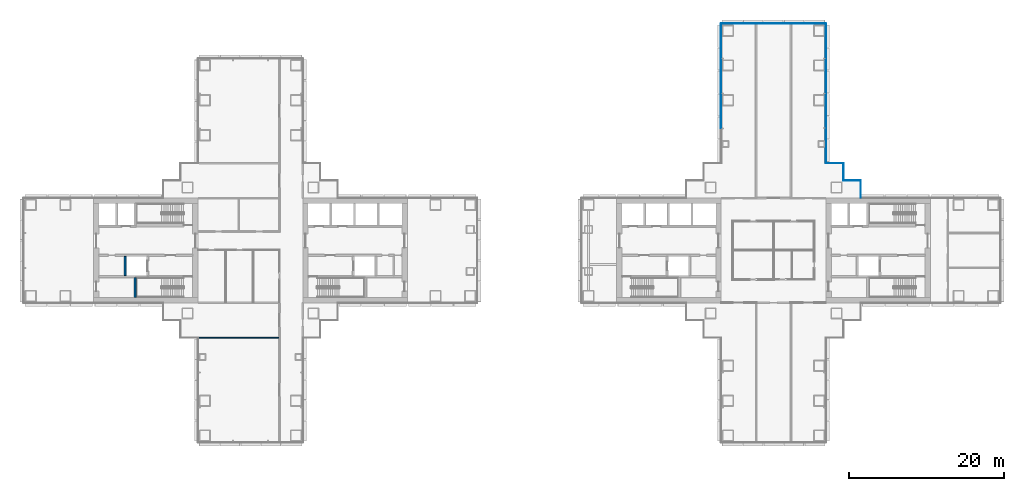
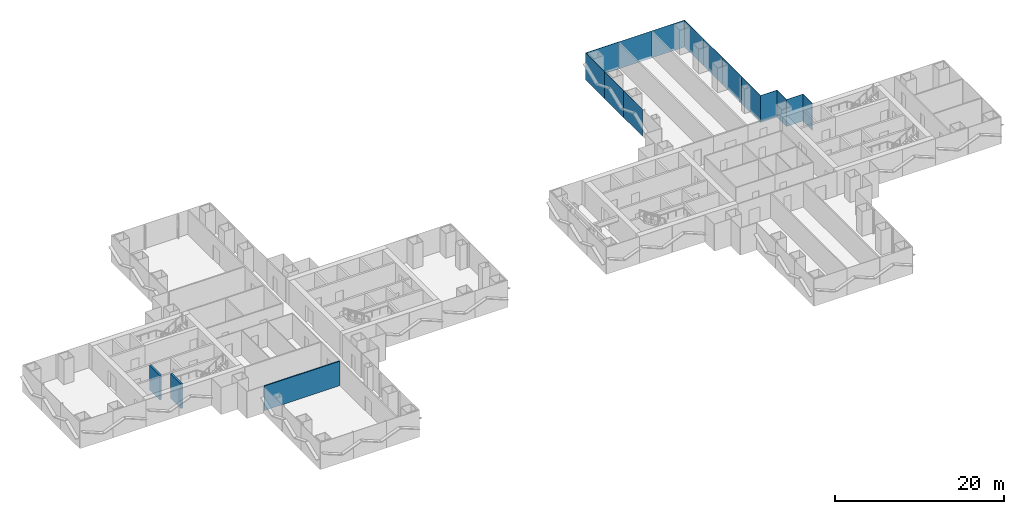
# One storey, part 12 of 21: 14 plates, 3 walls, 4 elements without a shape of their own.
"""IFC4 building model written with IfcOpenShell, lengths in metres."""

from ifc_helpers import new_model, si_unit, direction, frame, frame_2d, origin, origin_2d, place, context, subcontext, project, spatial, rectangle, extrude, material, layer, layer_set, type_object, element, aggregate, save


model = new_model("IFC4")

# Units and contexts
model_context = context("Model", 3, precision=1e-05, world=origin(), true_north=direction((0.0, 1.0)))
body_context = subcontext(model_context, "Body", "Model", "MODEL_VIEW")
ifc_project = project(units=[si_unit("LENGTHUNIT", "METRE"), si_unit("AREAUNIT", "SQUARE_METRE"), si_unit("VOLUMEUNIT", "CUBIC_METRE"), si_unit("PLANEANGLEUNIT", "RADIAN"), si_unit("MASSUNIT", "GRAM", prefix="KILO")], contexts=[model_context])

# Site, building, storey
site_placement = place(None, origin())
site = spatial("IfcSite", under=ifc_project, at=site_placement, CompositionType="ELEMENT")
building_placement = place(site_placement, origin())
building = spatial("IfcBuilding", under=site, at=building_placement, Name="Shamsa Quay Exchange Towers", CompositionType="ELEMENT")
storey_placement = place(building_placement, frame((0.0, 0.0, 57.60009765625)))
storey = spatial("IfcBuildingStorey", under=building, at=storey_placement, Name="L12", CompositionType="ELEMENT", Elevation=57.60009765625)

# Curtain wall, plates
ifc_material_1 = material(Name="Aluminium EN AW-6063 T6, black anodised", Category="aluminium")
ifc_layer_1 = layer(ifc_material_1, 0.280029296875)
ifc_layer_set_1 = layer_set([ifc_layer_1], Name="CW-1 UNITISED VISION GLASS")
curtain_wall_type_1 = type_object("IfcCurtainWallType", Name="CW-1 UNITISED VISION GLASS", PredefinedType="NOTDEFINED", material=ifc_layer_set_1)
curtain_wall_1_placement = place(storey_placement, origin())
curtain_wall_1 = element("IfcCurtainWall", 1, at=curtain_wall_1_placement, inside=storey, type_object=curtain_wall_type_1, Name="CW1 T2-FLK-U+S L12", PredefinedType="NOTDEFINED")
ifc_material_2 = material(Name="Glass, laminated, dark tinted", Category="glass")
ifc_layer_2 = layer(ifc_material_2, 0.0400390625)
ifc_layer_set_2 = layer_set([ifc_layer_2], Name="CW-1 VISION GLASS 40")
plate_type_1 = type_object("IfcPlateType", Name="CW-1 VISION GLASS 40", PredefinedType="CURTAIN_PANEL", material=ifc_layer_set_2)
plate_1_placement = place(storey_placement, frame((40.52001953125, 13.53076171875, -0.35009765625), z_axis=(0.0, 0.0, 1.0), x_axis=(0.0, 1.0, 0.0)))
plate_1 = element("IfcPlate", 2, at=plate_1_placement, type_object=plate_type_1, Name="CW1 glass panel", PredefinedType="CURTAIN_PANEL", context=body_context, shape_type="SweptSolid", body=[
    extrude(rectangle(XDim=4.485595703125, YDim=0.0400390625, at=origin_2d()), origin(), (0.0, 0.0, 1.0), 3.89990234375),
])
plate_2_placement = place(storey_placement, frame((40.52001953125, 18.023681640625, -0.35009765625), z_axis=(0.0, 0.0, 1.0), x_axis=(0.0, 1.0, 0.0)))
plate_2 = element("IfcPlate", 3, at=plate_2_placement, type_object=plate_type_1, Name="CW1 glass panel", PredefinedType="CURTAIN_PANEL", context=body_context, shape_type="SweptSolid", body=[
    extrude(rectangle(XDim=4.48046875, YDim=0.0400390625, at=origin_2d()), origin(), (0.0, 0.0, 1.0), 3.89990234375),
])
plate_3_placement = place(storey_placement, frame((40.52001953125, 22.51416015625, -0.35009765625), z_axis=(0.0, 0.0, 1.0), x_axis=(0.0, 1.0, 0.0)))
plate_3 = element("IfcPlate", 4, at=plate_3_placement, type_object=plate_type_1, Name="CW1 glass panel", PredefinedType="CURTAIN_PANEL", context=body_context, shape_type="SweptSolid", body=[
    extrude(rectangle(XDim=4.48046875, YDim=0.0400390625, at=origin_2d()), origin(), (0.0, 0.0, 1.0), 3.89990234375),
])
plate_4_placement = place(storey_placement, frame((40.52001953125, 27.00732421875, -0.35009765625), z_axis=(0.0, 0.0, 1.0), x_axis=(0.0, 1.0, 0.0)))
plate_4 = element("IfcPlate", 5, at=plate_4_placement, type_object=plate_type_1, Name="CW1 glass panel", PredefinedType="CURTAIN_PANEL", context=body_context, shape_type="SweptSolid", body=[
    extrude(rectangle(XDim=4.485595703125, YDim=0.0400390625, at=origin_2d()), origin(), (0.0, 0.0, 1.0), 3.89990234375),
])
aggregate(curtain_wall_1, [plate_1, plate_2, plate_3, plate_4])

curtain_wall_2_placement = place(storey_placement, origin())
curtain_wall_2 = element("IfcCurtainWall", 6, at=curtain_wall_2_placement, inside=storey, type_object=curtain_wall_type_1, Name="CW1 T2-END-U+ L12", PredefinedType="NOTDEFINED")
plate_5_placement = place(storey_placement, frame((38.25244140625, 29.27001953125, -0.35009765625), z_axis=(0.0, 0.0, 1.0), x_axis=(-1.0, 0.0, 0.0)))
plate_5 = element("IfcPlate", 7, at=plate_5_placement, type_object=plate_type_1, Name="CW1 glass panel", PredefinedType="CURTAIN_PANEL", context=body_context, shape_type="SweptSolid", body=[
    extrude(rectangle(XDim=4.4951171875, YDim=0.0400390625, at=origin_2d()), origin(), (0.0, 0.0, 1.0), 3.89990234375),
])
plate_6_placement = place(storey_placement, frame((33.75, 29.27001953125, -0.35009765625), z_axis=(0.0, 0.0, 1.0), x_axis=(-1.0, 0.0, 0.0)))
plate_6 = element("IfcPlate", 8, at=plate_6_placement, type_object=plate_type_1, Name="CW1 glass panel", PredefinedType="CURTAIN_PANEL", context=body_context, shape_type="SweptSolid", body=[
    extrude(rectangle(XDim=4.489990234375, YDim=0.0400390625, at=origin_2d()), origin(), (0.0, 0.0, 1.0), 3.89990234375),
])
plate_7_placement = place(storey_placement, frame((29.24755859375, 29.27001953125, -0.35009765625), z_axis=(0.0, 0.0, 1.0), x_axis=(-1.0, 0.0, 0.0)))
plate_7 = element("IfcPlate", 9, at=plate_7_placement, type_object=plate_type_1, Name="CW1 glass panel", PredefinedType="CURTAIN_PANEL", context=body_context, shape_type="SweptSolid", body=[
    extrude(rectangle(XDim=4.4951171875, YDim=0.0400390625, at=origin_2d()), origin(), (0.0, 0.0, 1.0), 3.89990234375),
])
aggregate(curtain_wall_2, [plate_5, plate_6, plate_7])

curtain_wall_3_placement = place(storey_placement, origin())
curtain_wall_3 = element("IfcCurtainWall", 10, at=curtain_wall_3_placement, inside=storey, type_object=curtain_wall_type_1, Name="CW1 T2-FLK-U+N L12", PredefinedType="NOTDEFINED")
plate_8_placement = place(storey_placement, frame((26.97998046875, 27.00244140625, -0.35009765625), z_axis=(0.0, 0.0, 1.0), x_axis=(0.0, -1.0, 0.0)))
plate_8 = element("IfcPlate", 11, at=plate_8_placement, type_object=plate_type_1, Name="CW1 glass panel", PredefinedType="CURTAIN_PANEL", context=body_context, shape_type="SweptSolid", body=[
    extrude(rectangle(XDim=4.4951171875, YDim=0.0400390625, at=origin_2d()), origin(), (0.0, 0.0, 1.0), 3.89990234375),
])
plate_9_placement = place(storey_placement, frame((26.97998046875, 22.5, -0.35009765625), z_axis=(0.0, 0.0, 1.0), x_axis=(0.0, -1.0, 0.0)))
plate_9 = element("IfcPlate", 12, at=plate_9_placement, type_object=plate_type_1, Name="CW1 glass panel", PredefinedType="CURTAIN_PANEL", context=body_context, shape_type="SweptSolid", body=[
    extrude(rectangle(XDim=4.489990234375, YDim=0.0400390625, at=origin_2d()), origin(), (0.0, 0.0, 1.0), 3.89990234375),
])
plate_10_placement = place(storey_placement, frame((26.97998046875, 18.0, -0.35009765625), z_axis=(0.0, 0.0, 1.0), x_axis=(0.0, -1.0, 0.0)))
plate_10 = element("IfcPlate", 13, at=plate_10_placement, type_object=plate_type_1, Name="CW1 glass panel", PredefinedType="CURTAIN_PANEL", context=body_context, shape_type="SweptSolid", body=[
    extrude(rectangle(XDim=4.489990234375, YDim=0.0400390625, at=origin_2d()), origin(), (0.0, 0.0, 1.0), 3.89990234375),
])
aggregate(curtain_wall_3, [plate_8, plate_9, plate_10])

ifc_layer_3 = layer(ifc_material_1, 0.256103515625)
ifc_layer_set_3 = layer_set([ifc_layer_3], Name="CW-4 POCKET SERRATED GLAZING")
curtain_wall_type_2 = type_object("IfcCurtainWallType", Name="CW-4 POCKET SERRATED GLAZING", PredefinedType="NOTDEFINED", material=ifc_layer_set_3)
curtain_wall_4_placement = place(storey_placement, origin())
curtain_wall_4 = element("IfcCurtainWall", 14, at=curtain_wall_4_placement, inside=storey, type_object=curtain_wall_type_2, Name="CW4 PKES L12", PredefinedType="NOTDEFINED")
ifc_layer_4 = layer(ifc_material_2, 0.035888671875)
ifc_layer_set_4 = layer_set([ifc_layer_4], Name="CW-4 POCKET GLASS 36")
plate_type_2 = type_object("IfcPlateType", Name="CW-4 POCKET GLASS 36", PredefinedType="CURTAIN_PANEL", material=ifc_layer_set_4)
plate_11_placement = place(storey_placement, frame((45.01806640625, 7.89794921875, -0.35009765625), z_axis=(0.0, 0.0, 1.0), x_axis=(0.0, 1.0, 0.0)))
plate_11 = element("IfcPlate", 15, at=plate_11_placement, type_object=plate_type_2, Name="CW4 glass panel", PredefinedType="CURTAIN_PANEL", context=body_context, shape_type="SweptSolid", body=[
    extrude(rectangle(XDim=2.2041015625, YDim=0.035888671875, at=origin_2d()), origin(), (0.0, 0.0, 1.0), 3.89990234375),
])
plate_12_placement = place(storey_placement, frame((43.875, 9.01806640625, -0.35009765625), z_axis=(0.0, 0.0, 1.0), x_axis=(-1.0, 0.0, 0.0)))
plate_12 = element("IfcPlate", 16, at=plate_12_placement, type_object=plate_type_2, Name="CW4 glass panel", PredefinedType="CURTAIN_PANEL", context=body_context, shape_type="SweptSolid", body=[
    extrude(rectangle(XDim=2.25, YDim=0.035888671875, at=origin_2d()), origin(), (0.0, 0.0, 1.0), 3.89990234375),
])
plate_13_placement = place(storey_placement, frame((42.76806640625, 10.14404296875, -0.35009765625), z_axis=(0.0, 0.0, 1.0), x_axis=(0.0, 1.0, 0.0)))
plate_13 = element("IfcPlate", 17, at=plate_13_placement, type_object=plate_type_2, Name="CW4 glass panel", PredefinedType="CURTAIN_PANEL", context=body_context, shape_type="SweptSolid", body=[
    extrude(rectangle(XDim=2.2119140625, YDim=0.035888671875, at=origin_2d()), origin(), (0.0, 0.0, 1.0), 3.89990234375),
])
plate_14_placement = place(storey_placement, frame((41.625, 11.26806640625, -0.35009765625), z_axis=(0.0, 0.0, 1.0), x_axis=(-1.0, 0.0, 0.0)))
plate_14 = element("IfcPlate", 18, at=plate_14_placement, type_object=plate_type_2, Name="CW4 glass panel", PredefinedType="CURTAIN_PANEL", context=body_context, shape_type="SweptSolid", body=[
    extrude(rectangle(XDim=2.25, YDim=0.035888671875, at=origin_2d()), origin(), (0.0, 0.0, 1.0), 3.89990234375),
])
aggregate(curtain_wall_4, [plate_11, plate_12, plate_13, plate_14])

# Walls
ifc_material_3 = material(Name="Gypsum board partition on metal studs")
ifc_layer_5 = layer(ifc_material_3, 0.14990234375)
ifc_layer_set_5 = layer_set([ifc_layer_5], Name="Partition 150 mm EI 60")
wall_type_1 = type_object("IfcWallType", Name="Partition 150 mm EI 60", PredefinedType="PARTITIONING", material=ifc_layer_set_5)
wall_1_placement = place(storey_placement, frame((-40.405029296875, -11.25, 0.0)))
element("IfcWall", 19, at=wall_1_placement, inside=storey, type_object=wall_type_1, Name="Partition T1-R05-W11", PredefinedType="PARTITIONING", context=body_context, shape_type="SweptSolid", body=[
    extrude(rectangle(XDim=10.330078125, YDim=0.14990234375, at=frame_2d((5.1650390625, 0.0))), origin(), (0.0, 0.0, 1.0), 3.5498046875),
])
ifc_material_4 = material(Name="Concrete C50/60", Category="concrete")
ifc_layer_6 = layer(ifc_material_4, 0.25)
ifc_layer_set_6 = layer_set([ifc_layer_6], Name="SHAFT WALL 250 C50/60")
wall_type_2 = type_object("IfcWallType", Name="SHAFT WALL 250 C50/60", PredefinedType="SHEAR", material=ifc_layer_set_6)
wall_2_placement = place(storey_placement, frame((-48.625, -6.050048828125, 0.0), z_axis=(0.0, 0.0, 1.0), x_axis=(0.0, 1.0, 0.0)))
element("IfcWall", 20, at=wall_2_placement, inside=storey, type_object=wall_type_2, Name="Shaft wall T1B-R05-STF", PredefinedType="SHEAR", context=body_context, shape_type="SweptSolid", body=[
    extrude(rectangle(XDim=2.550048828125, YDim=0.25, at=frame_2d((1.27490234375, 0.0))), origin(), (0.0, 0.0, 1.0), 3.5498046875),
])
wall_3_placement = place(storey_placement, frame((-49.925048828125, -3.25, 0.0), z_axis=(0.0, 0.0, 1.0), x_axis=(0.0, 1.0, 0.0)))
element("IfcWall", 21, at=wall_3_placement, inside=storey, type_object=wall_type_2, Name="Shaft wall T1B-R05-FFB", PredefinedType="SHEAR", context=body_context, shape_type="SweptSolid", body=[
    extrude(rectangle(XDim=2.5, YDim=0.25, at=frame_2d((1.25, 0.0))), origin(), (0.0, 0.0, 1.0), 3.5498046875),
])

save(model, "model.ifc")
